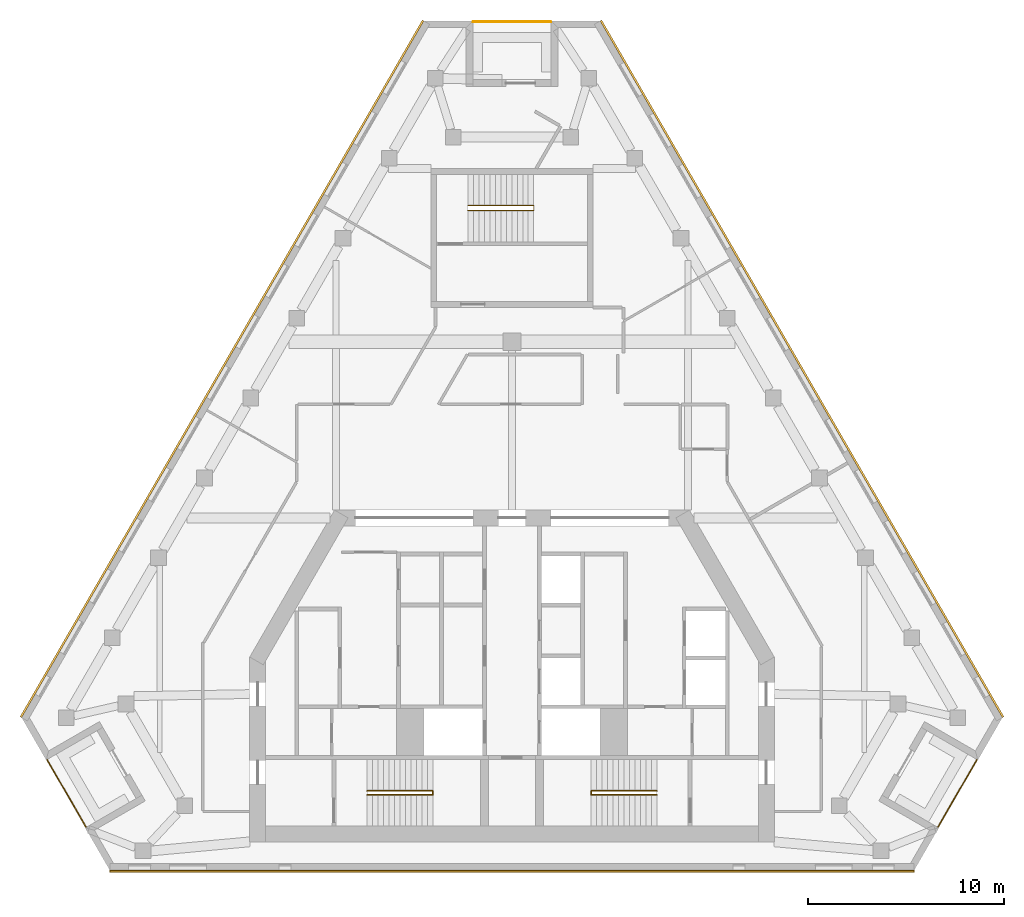
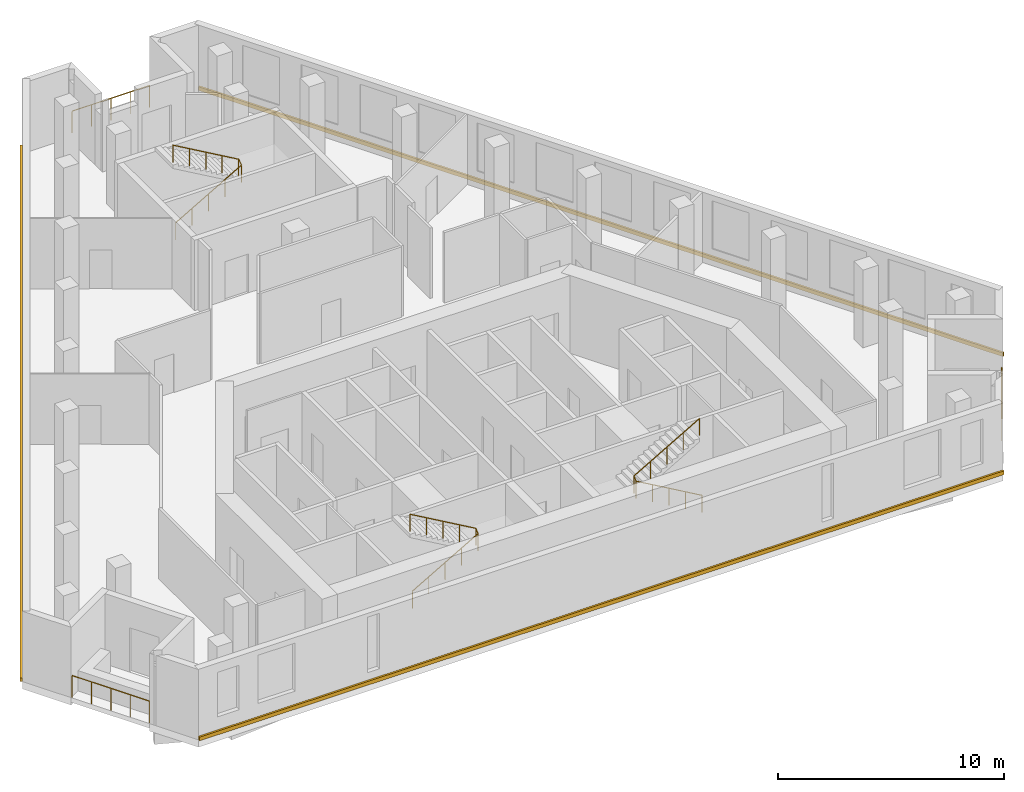
# One storey, part 8 of 8: 6 railings, 3 coverings.
"""IFC4 building model written with IfcOpenShell, lengths in metres."""

import ifcopenshell
import ifcopenshell.guid

model = None  # the IFC model being written
_history = None  # IfcOwnerHistory: only IFC2X3 demands one
_inside = {}  # id of a spatial element -> (the spatial element, [elements in it])
_under = {}  # id of a project, library or spatial element -> (it, [spatial elements below it])
_declared = {}  # id of a project -> (the project, [libraries it declares])
_typed = {}  # id of a type object -> (the type object, [elements of that type])
_made_of = {}  # id of a material, layer set ... -> (it, [elements and type objects made of it])


def new_model(schema):
    """Start an empty IFC model of exactly this schema.

    Asked for "IFC4X3", IfcOpenShell would pick the latest addendum, in which some entities
    have other attributes; the version numbers below select the first issue.
    IFC2X3 requires an IfcOwnerHistory on every rooted entity: one is made here for all.
    """
    global model, _history
    if schema == "IFC4X3":
        model = ifcopenshell.file(schema_version=(4, 3, 0, 0))
    else:
        model = ifcopenshell.file(schema=schema)
    _inside.clear()
    _under.clear()
    _declared.clear()
    _typed.clear()
    _made_of.clear()
    _history = None
    if model.schema == "IFC2X3":
        org = make("IfcOrganization", Name="unknown")
        user = make(
            "IfcPersonAndOrganization",
            ThePerson=make("IfcPerson", FamilyName="unknown"),
            TheOrganization=org,
        )
        app = make(
            "IfcApplication",
            ApplicationDeveloper=org,
            Version="unknown",
            ApplicationFullName="unknown",
            ApplicationIdentifier="unknown",
        )
        _history = make(
            "IfcOwnerHistory",
            OwningUser=user,
            OwningApplication=app,
            ChangeAction="ADDED",
            CreationDate=0,
        )
    return model


def make(cls, **values):
    """One entity of the class cls with the attributes given. An attribute that is None is left unset."""
    return model.create_entity(
        cls, **{name: value for name, value in values.items() if value is not None}
    )


def rooted(cls, **values):
    """An entity with a GlobalId (a new one), such as an element, a storey or a relation."""
    return make(cls, GlobalId=ifcopenshell.guid.new(), OwnerHistory=_history, **values)


def si_unit(unit_type, name, prefix=None):
    """IfcSIUnit, for example si_unit("LENGTHUNIT", "METRE", prefix="MILLI")."""
    return make("IfcSIUnit", UnitType=unit_type, Prefix=prefix, Name=name)


def assignment(units):
    """IfcUnitAssignment: the units of a project."""
    return None if units is None else make("IfcUnitAssignment", Units=units)


def point(xyz):
    """IfcCartesianPoint."""
    return None if xyz is None else make("IfcCartesianPoint", Coordinates=xyz)


def direction(xyz):
    """IfcDirection."""
    return None if xyz is None else make("IfcDirection", DirectionRatios=xyz)


def frame(location, z_axis=None, x_axis=None):
    """IfcAxis2Placement3D, a coordinate frame: its origin and axes. An axis left out is left unset."""
    return make(
        "IfcAxis2Placement3D",
        Location=point(location),
        Axis=direction(z_axis),
        RefDirection=direction(x_axis),
    )


def frame_2d(location, x_axis=None):
    """IfcAxis2Placement2D, a coordinate frame in the plane: its origin and x axis."""
    return make(
        "IfcAxis2Placement2D", Location=point(location), RefDirection=direction(x_axis)
    )


def origin():
    """The frame at (0, 0, 0) with its axes left unset."""
    return frame((0.0, 0.0, 0.0))


def origin_2d():
    """The frame at (0, 0) in the plane with its x axis left unset."""
    return frame_2d((0.0, 0.0))


def place(relative_to, where):
    """IfcLocalPlacement: puts the frame where relative to a parent placement (None: the world)."""
    return make(
        "IfcLocalPlacement", PlacementRelTo=relative_to, RelativePlacement=where
    )


def context(
    kind, dimensions, precision=None, world=None, true_north=None, identifier=None
):
    """IfcGeometricRepresentationContext, for example the 3D "Model" context."""
    return make(
        "IfcGeometricRepresentationContext",
        ContextIdentifier=identifier,
        ContextType=kind,
        CoordinateSpaceDimension=dimensions,
        Precision=precision,
        WorldCoordinateSystem=world,
        TrueNorth=true_north,
    )


def subcontext(parent, identifier, kind, view, scale=None):
    """IfcGeometricRepresentationSubContext, for example "Body" below "Model"."""
    return make(
        "IfcGeometricRepresentationSubContext",
        ContextIdentifier=identifier,
        ContextType=kind,
        ParentContext=parent,
        TargetScale=scale,
        TargetView=view,
    )


def project(units=None, contexts=None):
    """IfcProject with its units and contexts."""
    return rooted(
        "IfcProject",
        Name="project",
        RepresentationContexts=contexts,
        UnitsInContext=assignment(units),
    )


def spatial(cls, under=None, at=None, **own):
    """A site, building, storey or space (cls), placed at a placement, below another one or the project."""
    s = rooted(cls, ObjectPlacement=at, **own)
    if under is not None:
        _under.setdefault(under.id(), (under, []))[1].append(s)
    return s


def polyline(points):
    """IfcPolyline through the points."""
    return make("IfcPolyline", Points=[point(p) for p in points])


def profile(cls, at=None, kind="AREA", **sizes):
    """A parametric profile (cls). Its sizes go by their IFC names, for example OverallWidth=200.0."""
    return make(cls, ProfileType=kind, Position=at, **sizes)


def circle(**sizes):
    """IfcCircleProfileDef."""
    return profile("IfcCircleProfileDef", **sizes)


def outline(outer, holes=None, kind="AREA"):
    """IfcArbitraryClosedProfileDef: a profile drawn as a closed curve; with holes, ...WithVoids."""
    if holes is None:
        return make("IfcArbitraryClosedProfileDef", ProfileType=kind, OuterCurve=outer)
    return make(
        "IfcArbitraryProfileDefWithVoids",
        ProfileType=kind,
        OuterCurve=outer,
        InnerCurves=holes,
    )


def extrude(swept, where, along, depth):
    """IfcExtrudedAreaSolid: the profile swept, set in the frame where, extruded along a direction by depth."""
    return make(
        "IfcExtrudedAreaSolid",
        SweptArea=swept,
        Position=where,
        ExtrudedDirection=direction(along),
        Depth=depth,
    )


def shape(context_of_items, identifier, shape_type, items):
    """IfcShapeRepresentation: the items that make up one representation, for example the "Body"."""
    return make(
        "IfcShapeRepresentation",
        ContextOfItems=context_of_items,
        RepresentationIdentifier=identifier,
        RepresentationType=shape_type,
        Items=items,
    )


def material(Name=None, Category=None):
    """IfcMaterial."""
    return make("IfcMaterial", Name=Name, Category=Category)


def made_of(thing, what):
    """Note that an element or type object is made of a material, layer set ...; save() writes the relation."""
    if what is not None:
        _made_of.setdefault(what.id(), (what, []))[1].append(thing)
    return thing


def type_object(cls, material=None, **own):
    """A type object (cls), such as IfcWallType, which elements share."""
    return made_of(rooted(cls, **own), material)


def element(
    cls,
    number,
    at=None,
    inside=None,
    cuts=None,
    type_object=None,
    material=None,
    context=None,
    identifier="Body",
    shape_type=None,
    held_by="IfcProductDefinitionShape",
    body=None,
    shapes=None,
    **own,
):
    """One element of the class cls, such as IfcWall. Its Tag is "e" and its number.

    at: its placement. inside: the storey or other place that contains it. cuts: it is an
    opening in that element (IfcRelVoidsElement). A single representation is given by context,
    identifier, shape_type and body (its items); several are given by shapes. held_by: the class
    of the entity that holds the representations. save() writes the other relations.
    """
    e = rooted(cls, Tag="e%d" % number, ObjectPlacement=at, **own)
    if body is not None:
        shapes = [shape(context, identifier, shape_type, body)]
    if shapes is not None:
        e.Representation = make(held_by, Representations=shapes)
    if inside is not None:
        _inside.setdefault(inside.id(), (inside, []))[1].append(e)
    if cuts is not None:
        rooted(
            "IfcRelVoidsElement", RelatingBuildingElement=cuts, RelatedOpeningElement=e
        )
    if type_object is not None:
        _typed.setdefault(type_object.id(), (type_object, []))[1].append(e)
    return made_of(e, material)


def aggregate(whole, parts):
    """IfcRelAggregates: a whole, such as a stair, and the parts it consists of."""
    return rooted("IfcRelAggregates", RelatingObject=whole, RelatedObjects=parts)


def save(model, path):
    """Write the relations noted so far, then the file.

    IfcRelAggregates (storeys below a building ...), IfcRelContainedInSpatialStructure (elements
    in a storey), IfcRelDefinesByType, IfcRelAssociatesMaterial and IfcRelDeclares: one each for
    every whole, place, type object, material and project.
    """
    for whole, parts in _under.values():
        aggregate(whole, parts)
    for where, things in _inside.values():
        rooted(
            "IfcRelContainedInSpatialStructure",
            RelatedElements=things,
            RelatingStructure=where,
        )
    for kind, things in _typed.values():
        rooted("IfcRelDefinesByType", RelatedObjects=things, RelatingType=kind)
    for what, things in _made_of.values():
        rooted("IfcRelAssociatesMaterial", RelatedObjects=things, RelatingMaterial=what)
    for by, libraries in _declared.values():
        rooted("IfcRelDeclares", RelatingContext=by, RelatedDefinitions=libraries)
    model.write(path)


model = new_model("IFC4")

# Units and contexts
model_context = context("Model", 3, precision=1e-05, world=origin(), true_north=direction((0.0, 1.0)))
body_context = subcontext(model_context, "Body", "Model", "MODEL_VIEW")
ifc_project = project(units=[si_unit("LENGTHUNIT", "METRE"), si_unit("AREAUNIT", "SQUARE_METRE"), si_unit("VOLUMEUNIT", "CUBIC_METRE"), si_unit("PLANEANGLEUNIT", "RADIAN"), si_unit("MASSUNIT", "GRAM", prefix="KILO")], contexts=[model_context])

# Site, building, storey
site_placement = place(None, origin())
site = spatial("IfcSite", under=ifc_project, at=site_placement, CompositionType="ELEMENT")
building_placement = place(site_placement, origin())
building = spatial("IfcBuilding", under=site, at=building_placement, Name="Fogline Exchange Tower", CompositionType="ELEMENT")
storey_placement = place(building_placement, frame((0.0, 0.0, 300.300048828125)))
storey = spatial("IfcBuildingStorey", under=building, at=storey_placement, Name="L68", CompositionType="ELEMENT", Elevation=300.300048828125)

# Railings
ifc_material_1 = material(Name="Stainless steel 304", Category="steel")
railing_type_1 = type_object("IfcRailingType", Name="G1", PredefinedType="GUARDRAIL", material=ifc_material_1)
railing_1_placement = place(storey_placement, frame((-23.748291015625, 5.635986328125, 0.0)))
element("IfcRailing", 1, at=railing_1_placement, inside=storey, type_object=railing_type_1, Name="Balcony guard L68 SW", PredefinedType="GUARDRAIL", context=body_context, shape_type="SweptSolid", body=[
    extrude(circle(Radius=0.02392578125, at=origin_2d()), frame((0.0, 0.0, 1.17578125), z_axis=(0.500000102728, -0.866025344474, 0.0), x_axis=(0.866025344474, 0.500000102728, 0.0)), (0.0, 0.0, 1.0), 3.9580078125),
    extrude(circle(Radius=0.02099609375, at=origin_2d()), origin(), (0.0, 0.0, 1.0), 1.15185546875),
    extrude(circle(Radius=0.02099609375, at=origin_2d()), frame((0.49462890625, -0.85693359375, 0.0)), (0.0, 0.0, 1.0), 1.15185546875),
    extrude(circle(Radius=0.02099609375, at=origin_2d()), frame((0.989501953125, -1.7138671875, 0.0)), (0.0, 0.0, 1.0), 1.15185546875),
    extrude(circle(Radius=0.02099609375, at=origin_2d()), frame((1.484375, -2.57080078125, 0.0)), (0.0, 0.0, 1.0), 1.15185546875),
    extrude(circle(Radius=0.02099609375, at=origin_2d()), frame((1.97900390625, -3.427734375, 0.0)), (0.0, 0.0, 1.0), 1.15185546875),
])
railing_2_placement = place(storey_placement, frame((21.769287109375, 2.208251953125, 0.0)))
element("IfcRailing", 2, at=railing_2_placement, inside=storey, type_object=railing_type_1, Name="Balcony guard L68 SE", PredefinedType="GUARDRAIL", context=body_context, shape_type="SweptSolid", body=[
    extrude(circle(Radius=0.02392578125, at=origin_2d()), frame((0.0, 0.0, 1.17578125), z_axis=(0.500000102728, 0.866025344474, 0.0), x_axis=(-0.866025344474, 0.500000102728, 0.0)), (0.0, 0.0, 1.0), 3.9580078125),
    extrude(circle(Radius=0.02099609375, at=origin_2d()), origin(), (0.0, 0.0, 1.0), 1.15185546875),
    extrude(circle(Radius=0.02099609375, at=origin_2d()), frame((0.49462890625, 0.85693359375, 0.0)), (0.0, 0.0, 1.0), 1.15185546875),
    extrude(circle(Radius=0.02099609375, at=origin_2d()), frame((0.989501953125, 1.7138671875, 0.0)), (0.0, 0.0, 1.0), 1.15185546875),
    extrude(circle(Radius=0.02099609375, at=origin_2d()), frame((1.484375, 2.57080078125, 0.0)), (0.0, 0.0, 1.0), 1.15185546875),
    extrude(circle(Radius=0.02099609375, at=origin_2d()), frame((1.97900390625, 3.427734375, 0.0)), (0.0, 0.0, 1.0), 1.15185546875),
])
railing_3_placement = place(storey_placement, frame((1.97900390625, 43.341796875, 0.0)))
element("IfcRailing", 3, at=railing_3_placement, inside=storey, type_object=railing_type_1, Name="Balcony guard L68 N", PredefinedType="GUARDRAIL", context=body_context, shape_type="SweptSolid", body=[
    extrude(circle(Radius=0.02392578125, at=origin_2d()), frame((0.0, 0.0, 1.17578125), z_axis=(-1.0, 0.0, 0.0), x_axis=(0.0, -1.0, 0.0)), (0.0, 0.0, 1.0), 3.9580078125),
    extrude(circle(Radius=0.02099609375, at=origin_2d()), origin(), (0.0, 0.0, 1.0), 1.15185546875),
    extrude(circle(Radius=0.02099609375, at=origin_2d()), frame((-0.989501953125, 0.0, 0.0)), (0.0, 0.0, 1.0), 1.15185546875),
    extrude(circle(Radius=0.02099609375, at=origin_2d()), frame((-1.97900390625, 0.0, 0.0)), (0.0, 0.0, 1.0), 1.15185546875),
    extrude(circle(Radius=0.02099609375, at=origin_2d()), frame((-2.968505859375, 0.0, 0.0)), (0.0, 0.0, 1.0), 1.15185546875),
    extrude(circle(Radius=0.02099609375, at=origin_2d()), frame((-3.9580078125, 0.0, 0.0)), (0.0, 0.0, 1.0), 1.15185546875),
])
ifc_material_2 = material(Name="Steel Q235B", Category="steel")
railing_type_2 = type_object("IfcRailingType", Name="RL-HR", PredefinedType="HANDRAIL", material=ifc_material_2)
railing_4_placement = place(storey_placement, frame((-7.39990234375, 3.85009765625, 0.161376953125)))
element("IfcRailing", 4, at=railing_4_placement, inside=storey, type_object=railing_type_2, Name="Handrail ST1", PredefinedType="HANDRAIL", context=body_context, shape_type="SweptSolid", body=[
    extrude(circle(Radius=0.02392578125, at=origin_2d()), frame((0.0, 0.0, 0.92578125), z_axis=(0.866175107563, 0.0, 0.499740615757), x_axis=(0.0, 1.0, 0.0)), (0.0, 0.0, 1.0), 3.87890625),
    extrude(circle(Radius=0.02392578125, at=origin_2d()), frame((3.35986328125, 0.0, 2.8642578125), z_axis=(0.0, 0.777709044463, 0.628624404682), x_axis=(-1.0, 0.0, 0.0)), (0.0, 0.0, 1.0), 0.257080078125),
    extrude(circle(Radius=0.02392578125, at=origin_2d()), frame((3.35986328125, 0.199951171875, 3.02587890625), z_axis=(-0.866175107563, 0.0, 0.499740615757), x_axis=(0.0, -1.0, 0.0)), (0.0, 0.0, 1.0), 3.87890625),
    extrude(circle(Radius=0.02099609375, at=origin_2d()), origin(), (0.0, 0.0, 1.0), 0.90185546875),
    extrude(circle(Radius=0.02099609375, at=origin_2d()), frame((0.83984375, 0.0, 0.484619140625)), (0.0, 0.0, 1.0), 0.90185546875),
    extrude(circle(Radius=0.02099609375, at=origin_2d()), frame((1.679931640625, 0.0, 0.96923828125)), (0.0, 0.0, 1.0), 0.90185546875),
    extrude(circle(Radius=0.02099609375, at=origin_2d()), frame((2.52001953125, 0.0, 1.453857421875)), (0.0, 0.0, 1.0), 0.90185546875),
    extrude(circle(Radius=0.02099609375, at=origin_2d()), frame((3.35986328125, 0.0, 1.9384765625)), (0.0, 0.0, 1.0), 0.90185546875),
    extrude(circle(Radius=0.02099609375, at=origin_2d()), frame((3.35986328125, 0.199951171875, 2.10009765625)), (0.0, 0.0, 1.0), 0.90185546875),
    extrude(circle(Radius=0.02099609375, at=origin_2d()), frame((2.52001953125, 0.199951171875, 2.584716796875)), (0.0, 0.0, 1.0), 0.90185546875),
    extrude(circle(Radius=0.02099609375, at=origin_2d()), frame((1.679931640625, 0.199951171875, 3.0693359375)), (0.0, 0.0, 1.0), 0.90185546875),
    extrude(circle(Radius=0.02099609375, at=origin_2d()), frame((0.83984375, 0.199951171875, 3.553955078125)), (0.0, 0.0, 1.0), 0.90185546875),
    extrude(circle(Radius=0.02099609375, at=origin_2d()), frame((0.0, 0.199951171875, 4.03857421875)), (0.0, 0.0, 1.0), 0.90185546875),
])
railing_5_placement = place(storey_placement, frame((7.39990234375, 3.85009765625, 0.161376953125)))
element("IfcRailing", 5, at=railing_5_placement, inside=storey, type_object=railing_type_2, Name="Handrail ST2", PredefinedType="HANDRAIL", context=body_context, shape_type="SweptSolid", body=[
    extrude(circle(Radius=0.02392578125, at=origin_2d()), frame((0.0, 0.0, 0.92578125), z_axis=(-0.866175107563, 0.0, 0.499740615757), x_axis=(0.0, -1.0, 0.0)), (0.0, 0.0, 1.0), 3.87890625),
    extrude(circle(Radius=0.02392578125, at=origin_2d()), frame((-3.35986328125, 0.0, 2.8642578125), z_axis=(0.0, 0.777709044463, 0.628624404682), x_axis=(-1.0, 0.0, 0.0)), (0.0, 0.0, 1.0), 0.257080078125),
    extrude(circle(Radius=0.02392578125, at=origin_2d()), frame((-3.35986328125, 0.199951171875, 3.02587890625), z_axis=(0.866175107563, 0.0, 0.499740615757), x_axis=(0.0, 1.0, 0.0)), (0.0, 0.0, 1.0), 3.87890625),
    extrude(circle(Radius=0.02099609375, at=origin_2d()), origin(), (0.0, 0.0, 1.0), 0.90185546875),
    extrude(circle(Radius=0.02099609375, at=origin_2d()), frame((-0.83984375, 0.0, 0.484619140625)), (0.0, 0.0, 1.0), 0.90185546875),
    extrude(circle(Radius=0.02099609375, at=origin_2d()), frame((-1.679931640625, 0.0, 0.96923828125)), (0.0, 0.0, 1.0), 0.90185546875),
    extrude(circle(Radius=0.02099609375, at=origin_2d()), frame((-2.52001953125, 0.0, 1.453857421875)), (0.0, 0.0, 1.0), 0.90185546875),
    extrude(circle(Radius=0.02099609375, at=origin_2d()), frame((-3.35986328125, 0.0, 1.9384765625)), (0.0, 0.0, 1.0), 0.90185546875),
    extrude(circle(Radius=0.02099609375, at=origin_2d()), frame((-3.35986328125, 0.199951171875, 2.10009765625)), (0.0, 0.0, 1.0), 0.90185546875),
    extrude(circle(Radius=0.02099609375, at=origin_2d()), frame((-2.52001953125, 0.199951171875, 2.584716796875)), (0.0, 0.0, 1.0), 0.90185546875),
    extrude(circle(Radius=0.02099609375, at=origin_2d()), frame((-1.679931640625, 0.199951171875, 3.0693359375)), (0.0, 0.0, 1.0), 0.90185546875),
    extrude(circle(Radius=0.02099609375, at=origin_2d()), frame((-0.83984375, 0.199951171875, 3.553955078125)), (0.0, 0.0, 1.0), 0.90185546875),
    extrude(circle(Radius=0.02099609375, at=origin_2d()), frame((0.0, 0.199951171875, 4.03857421875)), (0.0, 0.0, 1.0), 0.90185546875),
])
railing_6_placement = place(storey_placement, frame((-2.25, 33.70703125, 0.161376953125)))
element("IfcRailing", 6, at=railing_6_placement, inside=storey, type_object=railing_type_2, Name="Handrail ST3", PredefinedType="HANDRAIL", context=body_context, shape_type="SweptSolid", body=[
    extrude(circle(Radius=0.02392578125, at=origin_2d()), frame((0.0, 0.0, 0.92578125), z_axis=(0.866190824863, 0.0, 0.499713372768), x_axis=(0.0, 1.0, 0.0)), (0.0, 0.0, 1.0), 3.879150390625),
    extrude(circle(Radius=0.02392578125, at=origin_2d()), frame((3.360107421875, 0.0, 2.8642578125), z_axis=(0.0, 0.839790117141, 0.542911189011), x_axis=(-1.0, 0.0, 0.0)), (0.0, 0.0, 1.0), 0.297607421875),
    extrude(circle(Radius=0.02392578125, at=origin_2d()), frame((3.360107421875, 0.25, 3.02587890625), z_axis=(-0.866190824863, 0.0, 0.499713372768), x_axis=(0.0, -1.0, 0.0)), (0.0, 0.0, 1.0), 3.879150390625),
    extrude(circle(Radius=0.02099609375, at=origin_2d()), origin(), (0.0, 0.0, 1.0), 0.90185546875),
    extrude(circle(Radius=0.02099609375, at=origin_2d()), frame((0.840087890625, 0.0, 0.484619140625)), (0.0, 0.0, 1.0), 0.90185546875),
    extrude(circle(Radius=0.02099609375, at=origin_2d()), frame((1.68017578125, 0.0, 0.96923828125)), (0.0, 0.0, 1.0), 0.90185546875),
    extrude(circle(Radius=0.02099609375, at=origin_2d()), frame((2.52001953125, 0.0, 1.453857421875)), (0.0, 0.0, 1.0), 0.90185546875),
    extrude(circle(Radius=0.02099609375, at=origin_2d()), frame((3.360107421875, 0.0, 1.9384765625)), (0.0, 0.0, 1.0), 0.90185546875),
    extrude(circle(Radius=0.02099609375, at=origin_2d()), frame((3.360107421875, 0.25, 2.10009765625)), (0.0, 0.0, 1.0), 0.90185546875),
    extrude(circle(Radius=0.02099609375, at=origin_2d()), frame((2.52001953125, 0.25, 2.584716796875)), (0.0, 0.0, 1.0), 0.90185546875),
    extrude(circle(Radius=0.02099609375, at=origin_2d()), frame((1.68017578125, 0.25, 3.0693359375)), (0.0, 0.0, 1.0), 0.90185546875),
    extrude(circle(Radius=0.02099609375, at=origin_2d()), frame((0.840087890625, 0.25, 3.553955078125)), (0.0, 0.0, 1.0), 0.90185546875),
    extrude(circle(Radius=0.02099609375, at=origin_2d()), frame((0.0, 0.25, 4.03857421875)), (0.0, 0.0, 1.0), 0.90185546875),
])

# Coverings
ifc_material_3 = material(Name="Brick masonry", Category="masonry")
covering_type = type_object("IfcCoveringType", Name="SB1", PredefinedType="CLADDING", material=ifc_material_3)
covering_1_placement = place(storey_placement, origin())
element("IfcCovering", 7, at=covering_1_placement, inside=storey, type_object=covering_type, Name="Stringcourse band L68 S", PredefinedType="CLADDING", context=body_context, shape_type="SweptSolid", body=[
    extrude(outline(polyline([(-20.55224609375, 0.0), (-20.55224609375, -0.10009765625), (20.55224609375, -0.10009765625), (20.55224609375, 0.0), (-20.55224609375, 0.0)])), origin(), (0.0, 0.0, 1.0), 0.199951171875),
])
covering_2_placement = place(storey_placement, origin())
element("IfcCovering", 8, at=covering_2_placement, inside=storey, type_object=covering_type, Name="Stringcourse band L68 E", PredefinedType="CLADDING", context=body_context, shape_type="SweptSolid", body=[
    extrude(outline(polyline([(25.05224609375, 7.794189453125), (25.138916015625, 7.84423828125), (4.586669921875, 43.441650390625), (4.5, 43.3916015625), (25.05224609375, 7.794189453125)])), origin(), (0.0, 0.0, 1.0), 0.199951171875),
])
covering_3_placement = place(storey_placement, origin())
element("IfcCovering", 9, at=covering_3_placement, inside=storey, type_object=covering_type, Name="Stringcourse band L68 W", PredefinedType="CLADDING", context=body_context, shape_type="SweptSolid", body=[
    extrude(outline(polyline([(-4.5, 43.3916015625), (-4.586669921875, 43.441650390625), (-25.138916015625, 7.84423828125), (-25.05224609375, 7.794189453125), (-4.5, 43.3916015625)])), origin(), (0.0, 0.0, 1.0), 0.199951171875),
])

save(model, "model.ifc")
